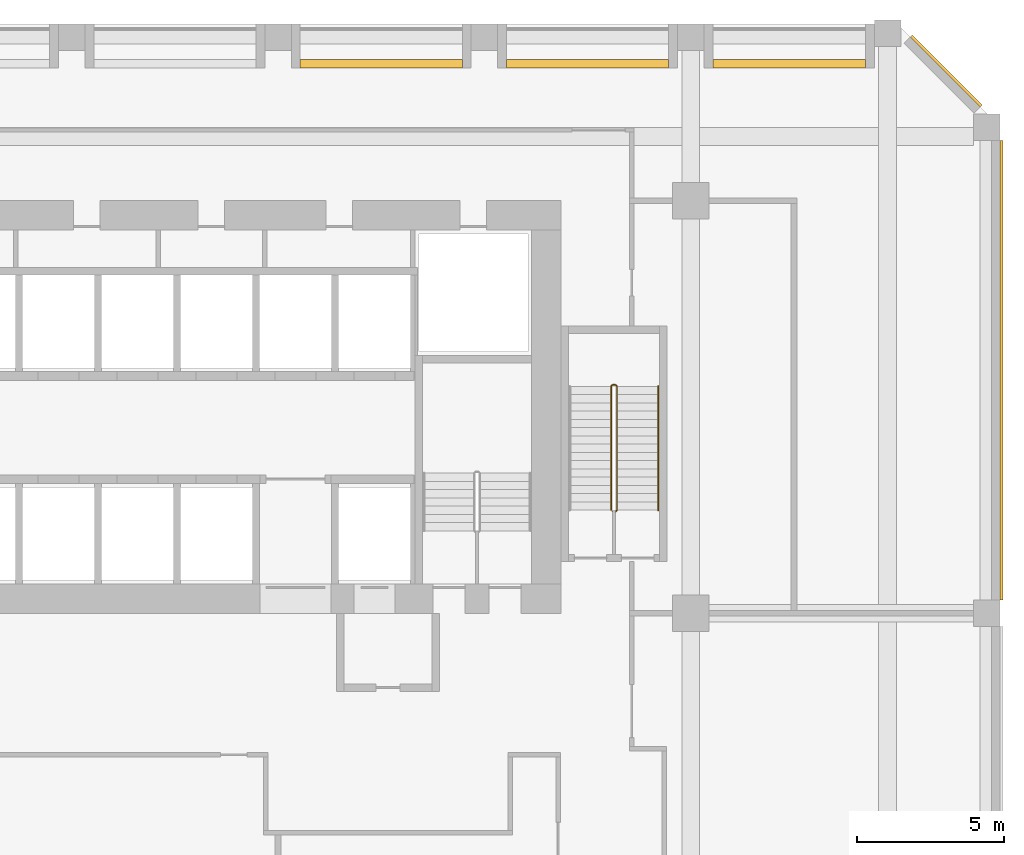
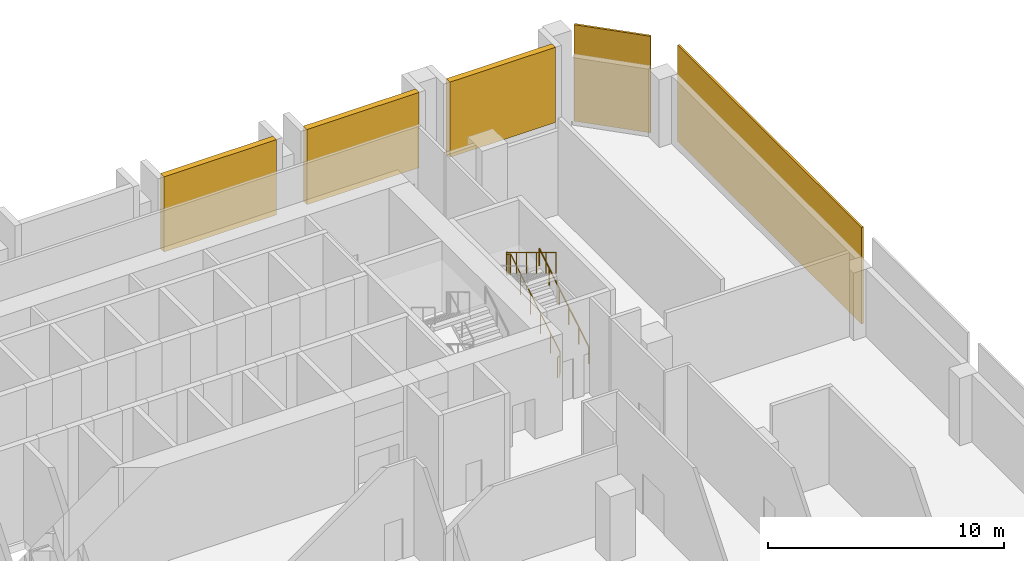
# One storey, part 10 of 10: 5 shading devices, 2 railings.
"""IFC4 building model written with IfcOpenShell, lengths in metres."""

from ifc_helpers import new_model, si_unit, direction, frame, origin, origin_2d, place, context, subcontext, project, spatial, rectangle, circle, extrude, source, transform, mapped, material, layer, layer_set, type_object, element, save


model = new_model("IFC4")

# Units and contexts
model_context = context("Model", 3, precision=1e-05, world=origin(), true_north=direction((0.0, 1.0)))
body_context = subcontext(model_context, "Body", "Model", "MODEL_VIEW")
ifc_project = project(units=[si_unit("LENGTHUNIT", "METRE"), si_unit("AREAUNIT", "SQUARE_METRE"), si_unit("VOLUMEUNIT", "CUBIC_METRE"), si_unit("PLANEANGLEUNIT", "RADIAN"), si_unit("MASSUNIT", "GRAM", prefix="KILO")], contexts=[model_context])

# Site, building, storey
site_placement = place(None, origin())
site = spatial("IfcSite", under=ifc_project, at=site_placement, CompositionType="ELEMENT")
building_placement = place(site_placement, origin())
building = spatial("IfcBuilding", under=site, at=building_placement, Name="Kilnfold Tower and Market Hall", CompositionType="ELEMENT")
storey_placement = place(building_placement, frame((0.0, 0.0, 95.199951171875)))
storey = spatial("IfcBuildingStorey", under=building, at=storey_placement, Name="L22 Refuge Transfer Level", CompositionType="ELEMENT", Elevation=95.199951171875)

# Railings
ifc_material_1 = material(Name="Stainless steel 316", Category="steel")
railing_type_1 = type_object("IfcRailingType", Name="CORE STAIR GUARD 1100", PredefinedType="GUARDRAIL", material=ifc_material_1)
railing_1_placement = place(storey_placement, frame((19.85009765625, 11.449951171875, 0.0)))
element("IfcRailing", 1, at=railing_1_placement, inside=storey, type_object=railing_type_1, Name="L22 Refuge Transfer Level ST5 stair guard 1", PredefinedType="GUARDRAIL", context=body_context, shape_type="SweptSolid", body=[
    extrude(circle(Radius=0.02392578125, at=origin_2d()), frame((0.0, 0.0, 1.076171875), z_axis=(1.0, 0.0, 0.0), x_axis=(0.0, 1.0, 0.0)), (0.0, 0.0, 1.0), 0.099853515625),
    extrude(circle(Radius=0.02392578125, at=origin_2d()), frame((0.099853515625, 0.0, 1.076171875), z_axis=(0.273232802156, 0.273232802156, 0.922327312645), x_axis=(-0.707106781187, 0.707106781187, 0.0)), (0.0, 0.0, 1.0), 0.18310546875),
    extrude(circle(Radius=0.02392578125, at=origin_2d()), frame((0.14990234375, 0.050048828125, 1.2451171875), z_axis=(0.0, 0.856498503035, 0.5161495077), x_axis=(-1.0, 0.0, 0.0)), (0.0, 0.0, 1.0), 4.903564453125),
    extrude(circle(Radius=0.02392578125, at=origin_2d()), frame((0.14990234375, 4.25, 3.77587890625), z_axis=(-0.707106781187, 0.707106781187, 0.0), x_axis=(-0.707106781187, -0.707106781187, 0.0)), (0.0, 0.0, 1.0), 0.07080078125),
    extrude(circle(Radius=0.02392578125, at=origin_2d()), frame((0.099853515625, 4.300048828125, 3.77587890625), z_axis=(-1.0, 0.0, 0.0), x_axis=(0.0, -1.0, 0.0)), (0.0, 0.0, 1.0), 0.099853515625),
    extrude(circle(Radius=0.02392578125, at=origin_2d()), frame((0.0, 4.300048828125, 3.77587890625), z_axis=(-0.273569069059, -0.273569069059, 0.922127935218), x_axis=(0.707106781187, -0.707106781187, 0.0)), (0.0, 0.0, 1.0), 0.182861328125),
    extrude(circle(Radius=0.02392578125, at=origin_2d()), frame((-0.050048828125, 4.25, 3.94482421875), z_axis=(0.0, -0.856454481726, 0.516222549615), x_axis=(1.0, 0.0, 0.0)), (0.0, 0.0, 1.0), 4.90380859375),
    extrude(circle(Radius=0.02099609375, at=origin_2d()), origin(), (0.0, 0.0, 1.0), 1.052001953125),
    extrude(circle(Radius=0.02099609375, at=origin_2d()), frame((0.099853515625, 0.0, 0.0)), (0.0, 0.0, 1.0), 1.052001953125),
    extrude(circle(Radius=0.02099609375, at=origin_2d()), frame((0.14990234375, 0.050048828125, 0.1689453125)), (0.0, 0.0, 1.0), 1.052001953125),
    extrude(circle(Radius=0.02099609375, at=origin_2d()), frame((0.14990234375, 0.89013671875, 0.675048828125)), (0.0, 0.0, 1.0), 1.052001953125),
    extrude(circle(Radius=0.02099609375, at=origin_2d()), frame((0.14990234375, 1.72998046875, 1.181396484375)), (0.0, 0.0, 1.0), 1.052001953125),
    extrude(circle(Radius=0.02099609375, at=origin_2d()), frame((0.14990234375, 2.570068359375, 1.6875)), (0.0, 0.0, 1.0), 1.052001953125),
    extrude(circle(Radius=0.02099609375, at=origin_2d()), frame((0.14990234375, 3.409912109375, 2.19384765625)), (0.0, 0.0, 1.0), 1.052001953125),
    extrude(circle(Radius=0.02099609375, at=origin_2d()), frame((0.14990234375, 4.25, 2.699951171875)), (0.0, 0.0, 1.0), 1.052001953125),
    extrude(circle(Radius=0.02099609375, at=origin_2d()), frame((0.099853515625, 4.300048828125, 2.699951171875)), (0.0, 0.0, 1.0), 1.052001953125),
    extrude(circle(Radius=0.02099609375, at=origin_2d()), frame((0.0, 4.300048828125, 2.699951171875)), (0.0, 0.0, 1.0), 1.052001953125),
    extrude(circle(Radius=0.02099609375, at=origin_2d()), frame((-0.050048828125, 4.25, 2.86865234375)), (0.0, 0.0, 1.0), 1.052001953125),
    extrude(circle(Radius=0.02099609375, at=origin_2d()), frame((-0.050048828125, 3.409912109375, 3.375)), (0.0, 0.0, 1.0), 1.052001953125),
    extrude(circle(Radius=0.02099609375, at=origin_2d()), frame((-0.050048828125, 2.570068359375, 3.88134765625)), (0.0, 0.0, 1.0), 1.052001953125),
    extrude(circle(Radius=0.02099609375, at=origin_2d()), frame((-0.050048828125, 1.72998046875, 4.387451171875)), (0.0, 0.0, 1.0), 1.052001953125),
    extrude(circle(Radius=0.02099609375, at=origin_2d()), frame((-0.050048828125, 0.89013671875, 4.893798828125)), (0.0, 0.0, 1.0), 1.052001953125),
    extrude(circle(Radius=0.02099609375, at=origin_2d()), frame((-0.050048828125, 0.050048828125, 5.400146484375)), (0.0, 0.0, 1.0), 1.052001953125),
])
ifc_material_2 = material(Name="Stainless steel 316", Category="steel")
railing_type_2 = type_object("IfcRailingType", Name="CORE STAIR HANDRAIL 900", PredefinedType="HANDRAIL", material=ifc_material_2)
railing_2_placement = place(storey_placement, frame((21.39990234375, 11.5, 0.1689453125)))
element("IfcRailing", 2, at=railing_2_placement, inside=storey, type_object=railing_type_2, Name="L22 Refuge Transfer Level ST5 stair handrail 1", PredefinedType="HANDRAIL", context=body_context, shape_type="SweptSolid", body=[
    extrude(circle(Radius=0.02392578125, at=origin_2d()), frame((0.0, 0.0, 0.8759765625), z_axis=(0.0, 0.856498503035, 0.5161495077), x_axis=(-1.0, 0.0, 0.0)), (0.0, 0.0, 1.0), 4.903564453125),
    extrude(circle(Radius=0.02099609375, at=origin_2d()), origin(), (0.0, 0.0, 1.0), 0.851806640625),
    extrude(circle(Radius=0.02099609375, at=origin_2d()), frame((0.0, 0.840087890625, 0.506103515625)), (0.0, 0.0, 1.0), 0.851806640625),
    extrude(circle(Radius=0.02099609375, at=origin_2d()), frame((0.0, 1.679931640625, 1.012451171875)), (0.0, 0.0, 1.0), 0.851806640625),
    extrude(circle(Radius=0.02099609375, at=origin_2d()), frame((0.0, 2.52001953125, 1.5185546875)), (0.0, 0.0, 1.0), 0.851806640625),
    extrude(circle(Radius=0.02099609375, at=origin_2d()), frame((0.0, 3.35986328125, 2.02490234375)), (0.0, 0.0, 1.0), 0.851806640625),
    extrude(circle(Radius=0.02099609375, at=origin_2d()), frame((0.0, 4.199951171875, 2.531005859375)), (0.0, 0.0, 1.0), 0.851806640625),
])

# Shading devices
ifc_material_3 = material(Name="Anodised aluminium", Category="aluminium")
shading_device_type_1 = type_object("IfcShadingDeviceType", Name="LOUVRE", PredefinedType="JALOUSIE", material=ifc_material_3)
shared_shape_1 = source(origin(), body_context, "Body", "SweptSolid", [
    extrude(rectangle(XDim=5.5, YDim=0.300048828125, at=origin_2d()), origin(), (0.0, 0.0, 1.0), 3.89990234375),
])
for number, where, z_axis, x_axis, name in (
    (3, (19.0, 26.64990234375, 1.10009765625), (0.0, 0.0, 1.0), (-1.0, 0.0, 0.0), "Plant louvre L22 N"),
    (4, (12.0, 26.64990234375, 1.10009765625), (0.0, 0.0, 1.0), (-1.0, 0.0, 0.0), "Plant louvre L22 N"),
):
    element("IfcShadingDevice", number, at=place(storey_placement, frame(where, z_axis=z_axis, x_axis=x_axis)), inside=storey, type_object=shading_device_type_1, Name=name, ObjectType="LOUVRE", PredefinedType="JALOUSIE", context=body_context, shape_type="MappedRepresentation", body=[
        mapped(shared_shape_1, transform((0.0, 0.0, 0.0))),
    ])
ifc_material_4 = material(Name="Terracotta", Category="masonry")
ifc_layer = layer(ifc_material_4, 0.10009765625)
ifc_layer_set = layer_set([ifc_layer], Name="Terracotta")
shading_device_type_2 = type_object("IfcShadingDeviceType", Name="TERRACOTTA SCREEN 100", PredefinedType="USERDEFINED", material=ifc_layer_set)
shared_shape_2 = source(origin(), body_context, "Body", "SweptSolid", [
    extrude(rectangle(XDim=3.35888671875, YDim=0.10009765625, at=origin_2d()), origin(), (0.0, 0.0, 1.0), 5.0),
])
shading_device_1_placement = place(storey_placement, frame((31.1728515625, 26.39794921875, 0.0), z_axis=(0.0, 0.0, 1.0), x_axis=(-0.707106781187, 0.707106781187, 0.0)))
element("IfcShadingDevice", 5, at=shading_device_1_placement, inside=storey, type_object=shading_device_type_2, Name="Plant screen L22 NE", ObjectType="SCREEN", PredefinedType="USERDEFINED", context=body_context, shape_type="MappedRepresentation", body=[
    mapped(shared_shape_2, transform((0.0, 0.0, 0.0))),
])
shared_shape_3 = source(origin(), body_context, "Body", "SweptSolid", [
    extrude(rectangle(XDim=15.60009765625, YDim=0.10009765625, at=origin_2d()), origin(), (0.0, 0.0, 1.0), 5.0),
])
shading_device_2_placement = place(storey_placement, frame((33.050048828125, 16.25, 0.0), z_axis=(0.0, 0.0, 1.0), x_axis=(0.0, 1.0, 0.0)))
element("IfcShadingDevice", 6, at=shading_device_2_placement, inside=storey, type_object=shading_device_type_2, Name="Plant screen L22 E", ObjectType="SCREEN", PredefinedType="USERDEFINED", context=body_context, shape_type="MappedRepresentation", body=[
    mapped(shared_shape_3, transform((0.0, 0.0, 0.0))),
])
shared_shape_4 = source(origin(), body_context, "Body", "SweptSolid", [
    extrude(rectangle(XDim=5.181884765625, YDim=0.300048828125, at=origin_2d()), origin(), (0.0, 0.0, 1.0), 3.89990234375),
])
shading_device_3_placement = place(storey_placement, frame((25.8408203125, 26.64990234375, 1.10009765625), z_axis=(0.0, 0.0, 1.0), x_axis=(-1.0, 0.0, 0.0)))
element("IfcShadingDevice", 7, at=shading_device_3_placement, inside=storey, type_object=shading_device_type_1, Name="Plant louvre L22 N", ObjectType="LOUVRE", PredefinedType="JALOUSIE", context=body_context, shape_type="MappedRepresentation", body=[
    mapped(shared_shape_4, transform((0.0, 0.0, 0.0))),
])

save(model, "model.ifc")
